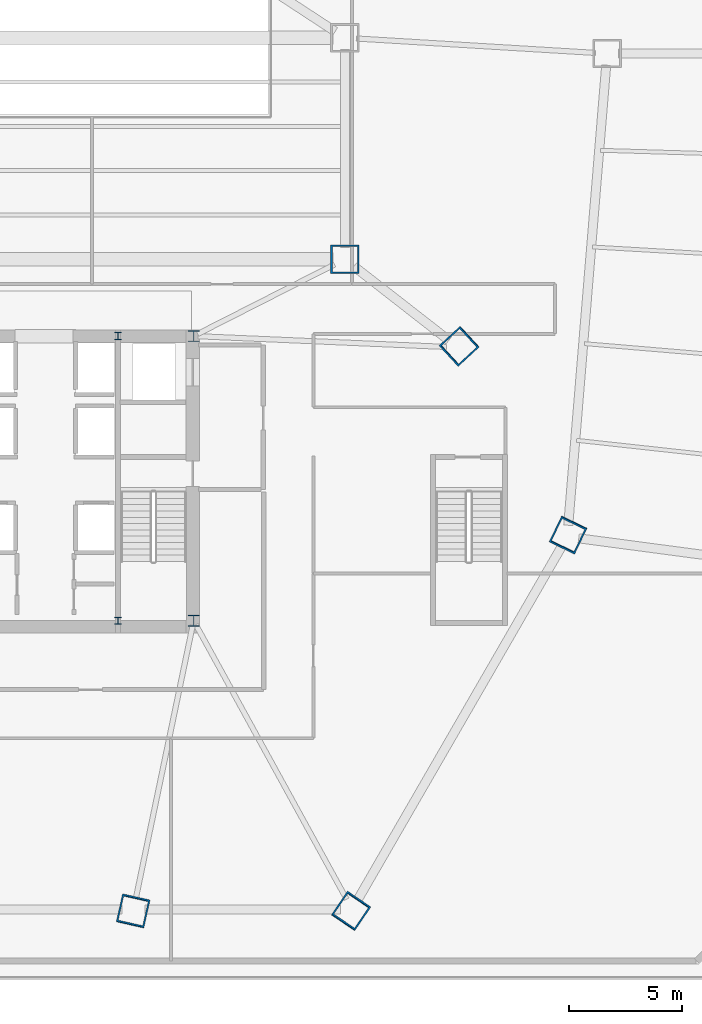
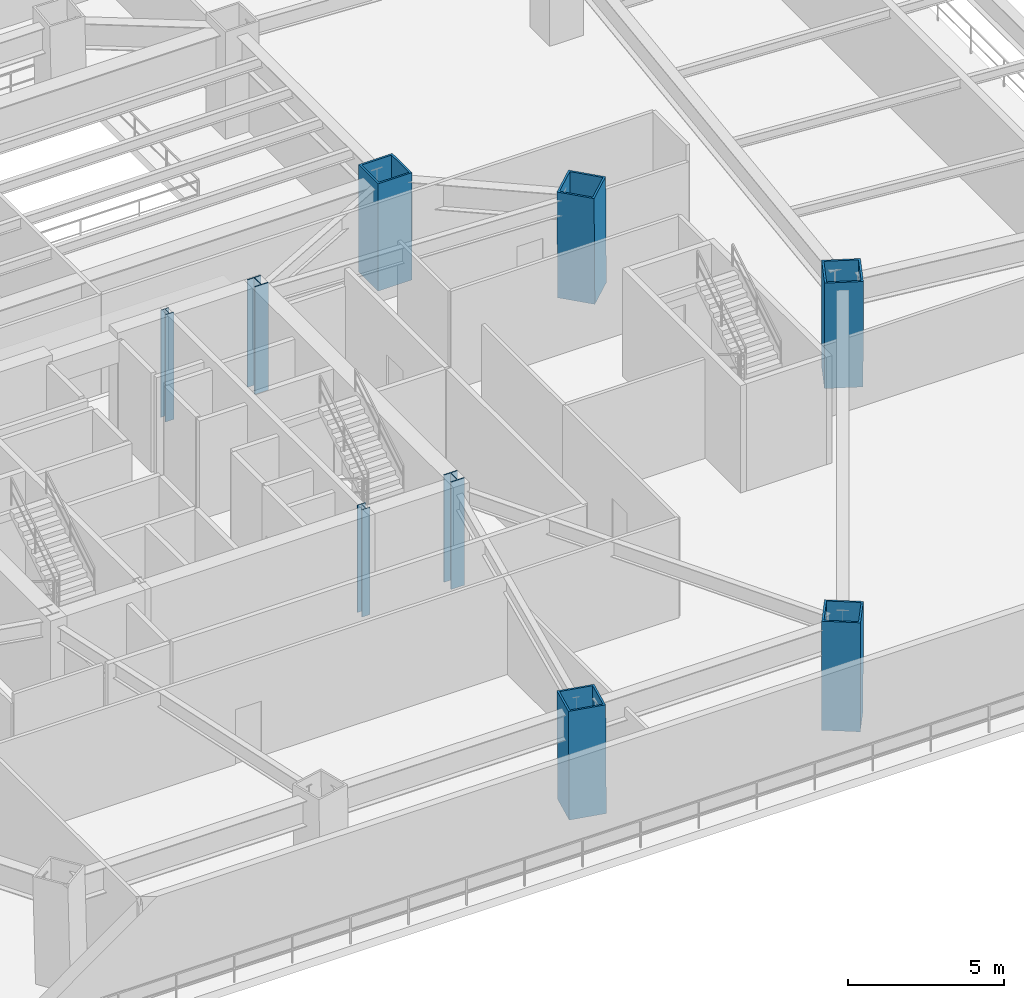
# One storey, part 2 of 12: 9 columns.
"""IFC4 building model written with IfcOpenShell, lengths in metres."""

from ifc_helpers import new_model, si_unit, direction, frame, origin, origin_2d, place, context, subcontext, project, spatial, hollow_rectangle, i_section, extrude, source, transform, mapped, material, material_profile, profile_set, type_object, type_shapes, element, save


model = new_model("IFC4")

# Units and contexts
model_context = context("Model", 3, precision=1e-05, world=origin(), true_north=direction((0.0, 1.0)))
body_context = subcontext(model_context, "Body", "Model", "MODEL_VIEW")
ifc_project = project(units=[si_unit("LENGTHUNIT", "METRE"), si_unit("AREAUNIT", "SQUARE_METRE"), si_unit("VOLUMEUNIT", "CUBIC_METRE"), si_unit("PLANEANGLEUNIT", "RADIAN"), si_unit("MASSUNIT", "GRAM", prefix="KILO")], contexts=[model_context])

# Site, building, storey
site_placement = place(None, origin())
site = spatial("IfcSite", under=ifc_project, at=site_placement, CompositionType="ELEMENT")
building_placement = place(site_placement, origin())
building = spatial("IfcBuilding", under=site, at=building_placement, Name="Caelisora Broadcast Tower", CompositionType="ELEMENT")
storey_placement = place(building_placement, frame((0.0, 0.0, 14.699951171875)))
storey = spatial("IfcBuildingStorey", under=building, at=storey_placement, Name="L03", CompositionType="ELEMENT", Elevation=14.699951171875)

# Columns
ifc_material_1 = material(Name="Steel Grade 350 (AS/NZS 3679.2)", Category="steel")
ifc_material_profile_1 = material_profile(ifc_material_1, i_section(OverallWidth=0.5, OverallDepth=0.5, WebThickness=0.028076171875, FlangeThickness=0.0400390625, at=origin_2d()), Name="Steel Grade 350 (AS/NZS 3679.2)")
ifc_profile_set_1 = profile_set([ifc_material_profile_1], Name="Steel Grade 350 (AS/NZS 3679.2)")
column_type_1 = type_object("IfcColumnType", Name="CC01", PredefinedType="COLUMN", material=ifc_profile_set_1)
shared_shape_1 = source(origin(), body_context, "Body", "SweptSolid", [
    extrude(i_section(OverallWidth=0.5, OverallDepth=0.5, WebThickness=0.028076171875, FlangeThickness=0.0400390625, at=origin_2d()), origin(), (0.0, 0.0, 1.0), 4.199951171875),
])
type_shapes(column_type_1, [shared_shape_1])
for number, where, z_axis, x_axis, name in (
    (1, (45.5, 17.39990234375, 0.0), (0.0, 0.0, 1.0), (1.0, 0.0, 0.0), "L03 column CC01"),
    (2, (45.5, 30.0, 0.0), (0.0, 0.0, 1.0), (1.0, 0.0, 0.0), "L03 column CC01"),
):
    element("IfcColumn", number, at=place(storey_placement, frame(where, z_axis=z_axis, x_axis=x_axis)), inside=storey, type_object=column_type_1, Name=name, PredefinedType="COLUMN", context=body_context, shape_type="MappedRepresentation", body=[
        mapped(shared_shape_1, transform((0.0, 0.0, 0.0), scale=1.0)),
    ])
ifc_material_2 = material(Name="Steel Grade 350 (AS/NZS 3679.1)", Category="steel")
ifc_material_profile_2 = material_profile(ifc_material_2, i_section(OverallWidth=0.306884765625, OverallDepth=0.314697265625, WebThickness=0.011962890625, FlangeThickness=0.018798828125, at=origin_2d()), Name="Steel Grade 350 (AS/NZS 3679.1)")
ifc_profile_set_2 = profile_set([ifc_material_profile_2], Name="Steel Grade 350 (AS/NZS 3679.1)")
column_type_2 = type_object("IfcColumnType", Name="CC04", PredefinedType="COLUMN", material=ifc_profile_set_2)
shared_shape_2 = source(origin(), body_context, "Body", "SweptSolid", [
    extrude(i_section(OverallWidth=0.306884765625, OverallDepth=0.314697265625, WebThickness=0.011962890625, FlangeThickness=0.018798828125, at=origin_2d()), origin(), (0.0, 0.0, 1.0), 4.199951171875),
])
type_shapes(column_type_2, [shared_shape_2])
for number, where, z_axis, x_axis, name in (
    (3, (42.14990234375, 17.39990234375, 0.0), (0.0, 0.0, 1.0), (1.0, 0.0, 0.0), "L03 column CC04"),
    (4, (42.14990234375, 30.0, 0.0), (0.0, 0.0, 1.0), (1.0, 0.0, 0.0), "L03 column CC04"),
):
    element("IfcColumn", number, at=place(storey_placement, frame(where, z_axis=z_axis, x_axis=x_axis)), inside=storey, type_object=column_type_2, Name=name, PredefinedType="COLUMN", context=body_context, shape_type="MappedRepresentation", body=[
        mapped(shared_shape_2, transform((0.0, 0.0, 0.0), scale=1.0)),
    ])
ifc_material_3 = material(Name="Steel Grade 350 L15 (AS/NZS 3678)", Category="steel")
ifc_material_profile_3 = material_profile(ifc_material_3, hollow_rectangle(XDim=1.25, YDim=1.25, WallThickness=0.070068359375, at=origin_2d()), Name="Steel Grade 350 L15 (AS/NZS 3678)")
ifc_profile_set_3 = profile_set([ifc_material_profile_3], Name="Steel Grade 350 L15 (AS/NZS 3678)")
column_type_3 = type_object("IfcColumnType", Name="MC02", PredefinedType="COLUMN", material=ifc_profile_set_3)
shared_shape_3 = source(origin(), body_context, "Body", "SweptSolid", [
    extrude(hollow_rectangle(XDim=1.25, YDim=1.25, WallThickness=0.070068359375, at=origin_2d()), origin(), (0.0, 0.0, 1.0), 4.201171875),
])
for number, where, z_axis, x_axis, name in (
    (5, (52.458740234375, 4.54443359375, 0.0), (0.01348214574, 0.01981642973, 0.999712729167), (-0.826791188215, 0.562508960897, 0.0), "L03 column MC02"),
    (6, (62.078369140625, 21.206298828125, 0.0), (-0.01040216717, -0.021617911661, 0.999712188989), (0.90110684469, -0.433597110752, 0.0), "L03 column MC02"),
):
    element("IfcColumn", number, at=place(storey_placement, frame(where, z_axis=z_axis, x_axis=x_axis)), inside=storey, type_object=column_type_3, Name=name, PredefinedType="COLUMN", context=body_context, shape_type="MappedRepresentation", body=[
        mapped(shared_shape_3, transform((0.0, 0.0, 0.0), scale=1.0)),
    ])
shared_shape_4 = source(origin(), body_context, "Body", "SweptSolid", [
    extrude(hollow_rectangle(XDim=1.25, YDim=1.25, WallThickness=0.070068359375, at=origin_2d()), origin(), (0.0, 0.0, 1.0), 4.200927734375),
])
for number, where, z_axis, x_axis, name in (
    (7, (42.819580078125, 4.54443359375, 0.0), (0.004475039604, 0.019818032534, 0.999793588501), (-0.975441002068, 0.220260871435, 0.0), "L03 column MC02"),
    (8, (57.2587890625, 29.553955078125, 0.0), (-0.014936170945, -0.013773823012, 0.999793574993), (0.677923610644, -0.735132354159, 0.0), "L03 column MC02"),
):
    element("IfcColumn", number, at=place(storey_placement, frame(where, z_axis=z_axis, x_axis=x_axis)), inside=storey, type_object=column_type_3, Name=name, PredefinedType="COLUMN", context=body_context, shape_type="MappedRepresentation", body=[
        mapped(shared_shape_4, transform((0.0, 0.0, 0.0), scale=1.0)),
    ])
shared_shape_5 = source(origin(), body_context, "Body", "SweptSolid", [
    extrude(hollow_rectangle(XDim=1.25, YDim=1.25, WallThickness=0.070068359375, at=origin_2d()), origin(), (0.0, 0.0, 1.0), 4.199951171875),
])
type_shapes(column_type_3, [shared_shape_3, shared_shape_4, shared_shape_5])
column_placement = place(storey_placement, frame((52.18896484375, 33.39990234375, 0.0), z_axis=(0.0, 0.0, 1.0), x_axis=(1.0, 0.0, 0.0)))
element("IfcColumn", 9, at=column_placement, inside=storey, type_object=column_type_3, Name="L03 column MC02", PredefinedType="COLUMN", context=body_context, shape_type="MappedRepresentation", body=[
    mapped(shared_shape_5, transform((0.0, 0.0, 0.0), scale=1.0)),
])

save(model, "model.ifc")
